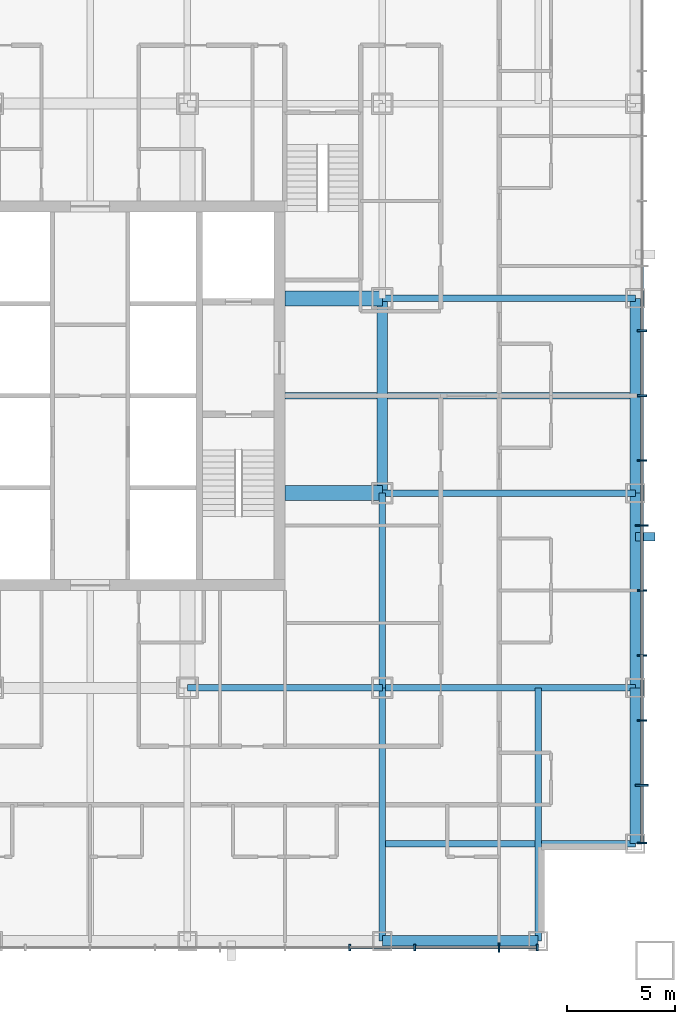
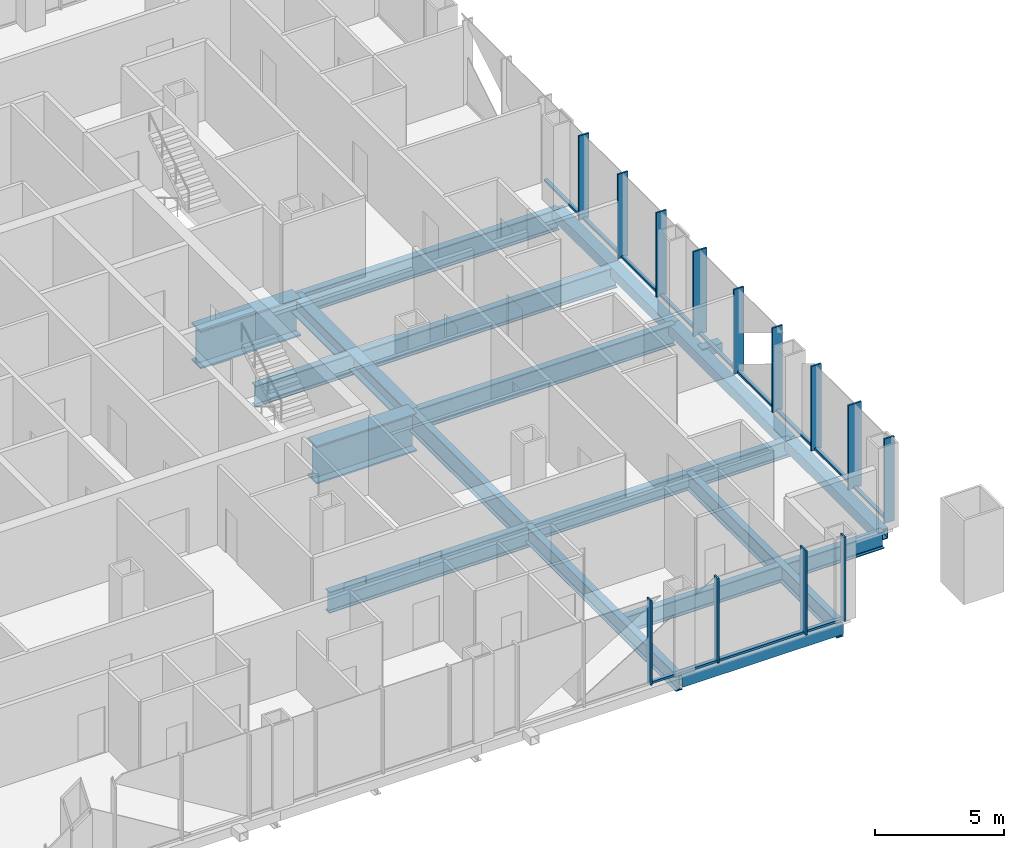
# One storey, part 3 of 17: 26 members, 16 beams, 2 elements without a shape of their own.
"""IFC4 building model written with IfcOpenShell, lengths in metres."""

from ifc_helpers import new_model, si_unit, direction, frame, origin, origin_2d, place, context, subcontext, project, spatial, rectangle, hollow_rectangle, i_section, extrude, material, layer, layer_set, material_profile, profile_set, type_object, element, aggregate, save


model = new_model("IFC4")

# Units and contexts
model_context = context("Model", 3, precision=1e-05, world=origin(), true_north=direction((0.0, 1.0)))
body_context = subcontext(model_context, "Body", "Model", "MODEL_VIEW")
ifc_project = project(units=[si_unit("LENGTHUNIT", "METRE"), si_unit("AREAUNIT", "SQUARE_METRE"), si_unit("VOLUMEUNIT", "CUBIC_METRE"), si_unit("PLANEANGLEUNIT", "RADIAN"), si_unit("MASSUNIT", "GRAM", prefix="KILO")], contexts=[model_context])

# Site, building, storey
site_placement = place(None, origin())
site = spatial("IfcSite", under=ifc_project, at=site_placement, CompositionType="ELEMENT")
building_placement = place(site_placement, origin())
building = spatial("IfcBuilding", under=site, at=building_placement, Name="Malebo Sky Hospital", CompositionType="ELEMENT")
storey_placement = place(building_placement, frame((0.0, 0.0, 83.0)))
storey = spatial("IfcBuildingStorey", under=building, at=storey_placement, Name="L19", CompositionType="ELEMENT", Elevation=83.0)

# Curtain wall, members
ifc_material_1 = material(Name="Anodised aluminium, natural silver", Category="aluminium")
ifc_layer_1 = layer(ifc_material_1, 0.25)
ifc_layer_set_1 = layer_set([ifc_layer_1], Name="WARD CURTAIN WALL NORTH AND SOUTH")
curtain_wall_type_1 = type_object("IfcCurtainWallType", Name="WARD CURTAIN WALL NORTH AND SOUTH", PredefinedType="NOTDEFINED", material=ifc_layer_set_1)
curtain_wall_1_placement = place(storey_placement, origin())
curtain_wall_1 = element("IfcCurtainWall", 1, at=curtain_wall_1_placement, inside=storey, type_object=curtain_wall_type_1, Name="NS curtain wall S", PredefinedType="NOTDEFINED")
ifc_material_profile_1 = material_profile(ifc_material_1, rectangle(XDim=0.14990234375, YDim=0.10009765625, at=origin_2d()), Name="ALUMINIUM TRANSOM 150x100")
ifc_profile_set_1 = profile_set([ifc_material_profile_1], Name="Anodised aluminium, natural silver")
member_type_1 = type_object("IfcMemberType", Name="ALUMINIUM TRANSOM 150x100", PredefinedType="USERDEFINED", material=ifc_profile_set_1)
member_1_placement = place(storey_placement, frame((80.625, 36.5, 0.050048828125), z_axis=(-1.0, 0.0, 0.0), x_axis=(0.0, -1.0, 0.0)))
member_1 = element("IfcMember", 2, at=member_1_placement, type_object=member_type_1, Name="Transom 1", ObjectType="TRANSOM", PredefinedType="USERDEFINED", context=body_context, shape_type="SweptSolid", body=[
    extrude(rectangle(XDim=0.14990234375, YDim=0.10009765625, at=origin_2d()), origin(), (0.0, 0.0, 1.0), 1.6875),
])
member_2_placement = place(storey_placement, frame((78.862548828125, 36.5, 0.050048828125), z_axis=(-1.0, 0.0, 0.0), x_axis=(0.0, -1.0, 0.0)))
member_2 = element("IfcMember", 3, at=member_2_placement, type_object=member_type_1, Name="Transom 2", ObjectType="TRANSOM", PredefinedType="USERDEFINED", context=body_context, shape_type="SweptSolid", body=[
    extrude(rectangle(XDim=0.14990234375, YDim=0.10009765625, at=origin_2d()), origin(), (0.0, 0.0, 1.0), 3.824951171875),
])
member_3_placement = place(storey_placement, frame((74.96240234375, 36.5, 0.050048828125), z_axis=(-1.0, 0.0, 0.0), x_axis=(0.0, -1.0, 0.0)))
member_3 = element("IfcMember", 4, at=member_3_placement, type_object=member_type_1, Name="Transom 3", ObjectType="TRANSOM", PredefinedType="USERDEFINED", context=body_context, shape_type="SweptSolid", body=[
    extrude(rectangle(XDim=0.14990234375, YDim=0.10009765625, at=origin_2d()), origin(), (0.0, 0.0, 1.0), 2.9248046875),
])

ifc_layer_2 = layer(ifc_material_1, 0.25)
ifc_layer_set_2 = layer_set([ifc_layer_2], Name="WARD CURTAIN WALL EAST AND WEST")
curtain_wall_type_2 = type_object("IfcCurtainWallType", Name="WARD CURTAIN WALL EAST AND WEST", PredefinedType="NOTDEFINED", material=ifc_layer_set_2)
curtain_wall_2_placement = place(storey_placement, origin())
curtain_wall_2 = element("IfcCurtainWall", 5, at=curtain_wall_2_placement, inside=storey, type_object=curtain_wall_type_2, Name="EW curtain wall E", PredefinedType="NOTDEFINED")
member_4_placement = place(storey_placement, frame((85.5, 67.96240234375, 0.050048828125), z_axis=(0.0, -1.0, 0.0), x_axis=(1.0, 0.0, 0.0)))
member_4 = element("IfcMember", 6, at=member_4_placement, type_object=member_type_1, Name="Transom 6", ObjectType="TRANSOM", PredefinedType="USERDEFINED", context=body_context, shape_type="SweptSolid", body=[
    extrude(rectangle(XDim=0.14990234375, YDim=0.10009765625, at=origin_2d()), origin(), (0.0, 0.0, 1.0), 2.9248046875),
])
member_5_placement = place(storey_placement, frame((85.5, 64.96240234375, 0.050048828125), z_axis=(0.0, -1.0, 0.0), x_axis=(1.0, 0.0, 0.0)))
member_5 = element("IfcMember", 7, at=member_5_placement, type_object=member_type_1, Name="Transom 7", ObjectType="TRANSOM", PredefinedType="USERDEFINED", context=body_context, shape_type="SweptSolid", body=[
    extrude(rectangle(XDim=0.14990234375, YDim=0.10009765625, at=origin_2d()), origin(), (0.0, 0.0, 1.0), 2.9248046875),
])
member_6_placement = place(storey_placement, frame((85.5, 61.96240234375, 0.050048828125), z_axis=(0.0, -1.0, 0.0), x_axis=(1.0, 0.0, 0.0)))
member_6 = element("IfcMember", 8, at=member_6_placement, type_object=member_type_1, Name="Transom 8", ObjectType="TRANSOM", PredefinedType="USERDEFINED", context=body_context, shape_type="SweptSolid", body=[
    extrude(rectangle(XDim=0.14990234375, YDim=0.10009765625, at=origin_2d()), origin(), (0.0, 0.0, 1.0), 2.9248046875),
])
member_7_placement = place(storey_placement, frame((85.5, 58.96240234375, 0.050048828125), z_axis=(0.0, -1.0, 0.0), x_axis=(1.0, 0.0, 0.0)))
member_7 = element("IfcMember", 9, at=member_7_placement, type_object=member_type_1, Name="Transom 9", ObjectType="TRANSOM", PredefinedType="USERDEFINED", context=body_context, shape_type="SweptSolid", body=[
    extrude(rectangle(XDim=0.14990234375, YDim=0.10009765625, at=origin_2d()), origin(), (0.0, 0.0, 1.0), 2.9248046875),
])
member_8_placement = place(storey_placement, frame((85.5, 55.96240234375, 0.050048828125), z_axis=(0.0, -1.0, 0.0), x_axis=(1.0, 0.0, 0.0)))
member_8 = element("IfcMember", 10, at=member_8_placement, type_object=member_type_1, Name="Transom 10", ObjectType="TRANSOM", PredefinedType="USERDEFINED", context=body_context, shape_type="SweptSolid", body=[
    extrude(rectangle(XDim=0.14990234375, YDim=0.10009765625, at=origin_2d()), origin(), (0.0, 0.0, 1.0), 2.9248046875),
])
member_9_placement = place(storey_placement, frame((85.5, 52.96240234375, 0.050048828125), z_axis=(0.0, -1.0, 0.0), x_axis=(1.0, 0.0, 0.0)))
member_9 = element("IfcMember", 11, at=member_9_placement, type_object=member_type_1, Name="Transom 11", ObjectType="TRANSOM", PredefinedType="USERDEFINED", context=body_context, shape_type="SweptSolid", body=[
    extrude(rectangle(XDim=0.14990234375, YDim=0.10009765625, at=origin_2d()), origin(), (0.0, 0.0, 1.0), 2.9248046875),
])
member_10_placement = place(storey_placement, frame((85.5, 49.96240234375, 0.050048828125), z_axis=(0.0, -1.0, 0.0), x_axis=(1.0, 0.0, 0.0)))
member_10 = element("IfcMember", 12, at=member_10_placement, type_object=member_type_1, Name="Transom 12", ObjectType="TRANSOM", PredefinedType="USERDEFINED", context=body_context, shape_type="SweptSolid", body=[
    extrude(rectangle(XDim=0.14990234375, YDim=0.10009765625, at=origin_2d()), origin(), (0.0, 0.0, 1.0), 2.9248046875),
])
member_11_placement = place(storey_placement, frame((85.5, 46.96240234375, 0.050048828125), z_axis=(0.0, -1.0, 0.0), x_axis=(1.0, 0.0, 0.0)))
member_11 = element("IfcMember", 13, at=member_11_placement, type_object=member_type_1, Name="Transom 13", ObjectType="TRANSOM", PredefinedType="USERDEFINED", context=body_context, shape_type="SweptSolid", body=[
    extrude(rectangle(XDim=0.14990234375, YDim=0.10009765625, at=origin_2d()), origin(), (0.0, 0.0, 1.0), 2.9248046875),
])
member_12_placement = place(storey_placement, frame((85.5, 43.96240234375, 0.050048828125), z_axis=(0.0, -1.0, 0.0), x_axis=(1.0, 0.0, 0.0)))
member_12 = element("IfcMember", 14, at=member_12_placement, type_object=member_type_1, Name="Transom 14", ObjectType="TRANSOM", PredefinedType="USERDEFINED", context=body_context, shape_type="SweptSolid", body=[
    extrude(rectangle(XDim=0.14990234375, YDim=0.10009765625, at=origin_2d()), origin(), (0.0, 0.0, 1.0), 2.58740234375),
])

# Member
ifc_material_2 = material(Name="Steel S355", Category="steel")
ifc_material_profile_2 = material_profile(ifc_material_2, hollow_rectangle(XDim=0.39990234375, YDim=0.39990234375, WallThickness=0.02001953125, at=origin_2d()), Name="SHS 400x20")
ifc_profile_set_2 = profile_set([ifc_material_profile_2], Name="Steel S355")
member_type_2 = type_object("IfcMemberType", Name="BRACE STRUT SHS 400x20", PredefinedType="STRUT", material=ifc_profile_set_2)
member_13_placement = place(storey_placement, frame((86.10009765625, 55.47509765625, -0.39990234375), z_axis=(-1.0, 0.0, 0.0), x_axis=(0.0, -1.0, 0.0)))
element("IfcMember", 15, at=member_13_placement, inside=storey, type_object=member_type_2, Name="Brace strut AE2 L19", PredefinedType="STRUT", context=body_context, shape_type="SweptSolid", body=[
    extrude(hollow_rectangle(XDim=0.39990234375, YDim=0.39990234375, WallThickness=0.02001953125, at=origin_2d()), origin(), (0.0, 0.0, 1.0), 0.900146484375),
])

ifc_material_profile_3 = material_profile(ifc_material_1, rectangle(XDim=0.074951171875, YDim=0.300048828125, at=origin_2d()), Name="CW1 ALUMINIUM FIN MULLION 75x300")
ifc_profile_set_3 = profile_set([ifc_material_profile_3], Name="Anodised aluminium, natural silver")
member_type_3 = type_object("IfcMemberType", Name="CW1 ALUMINIUM FIN MULLION 75x300", PredefinedType="MULLION", material=ifc_profile_set_3)
member_14_placement = place(storey_placement, frame((80.66259765625, 36.5, 0.0), z_axis=(0.0, 0.0, 1.0), x_axis=(-1.0, 0.0, 0.0)))
member_14 = element("IfcMember", 16, at=member_14_placement, type_object=member_type_3, Name="Fin mullion 1", PredefinedType="MULLION", context=body_context, shape_type="SweptSolid", body=[
    extrude(rectangle(XDim=0.074951171875, YDim=0.300048828125, at=origin_2d()), origin(), (0.0, 0.0, 1.0), 4.0),
])

member_15_placement = place(storey_placement, frame((75.0, 36.5, 0.0), z_axis=(0.0, 0.0, 1.0), x_axis=(-1.0, 0.0, 0.0)))
member_15 = element("IfcMember", 17, at=member_15_placement, type_object=member_type_3, Name="Fin mullion 3", PredefinedType="MULLION", context=body_context, shape_type="SweptSolid", body=[
    extrude(rectangle(XDim=0.074951171875, YDim=0.300048828125, at=origin_2d()), origin(), (0.0, 0.0, 1.0), 4.0),
])

member_16_placement = place(storey_placement, frame((72.0, 36.5, 0.0), z_axis=(0.0, 0.0, 1.0), x_axis=(-1.0, 0.0, 0.0)))
member_16 = element("IfcMember", 18, at=member_16_placement, type_object=member_type_3, Name="Fin mullion 4", PredefinedType="MULLION", context=body_context, shape_type="SweptSolid", body=[
    extrude(rectangle(XDim=0.074951171875, YDim=0.300048828125, at=origin_2d()), origin(), (0.0, 0.0, 1.0), 4.0),
])

ifc_material_profile_4 = material_profile(ifc_material_1, rectangle(XDim=0.074951171875, YDim=0.449951171875, at=origin_2d()), Name="CW1 ALUMINIUM FIN MULLION 75x450")
ifc_profile_set_4 = profile_set([ifc_material_profile_4], Name="Anodised aluminium, natural silver")
member_type_4 = type_object("IfcMemberType", Name="CW1 ALUMINIUM FIN MULLION 75x450", PredefinedType="MULLION", material=ifc_profile_set_4)
member_17_placement = place(storey_placement, frame((78.89990234375, 36.5, 0.0), z_axis=(0.0, 0.0, 1.0), x_axis=(-1.0, 0.0, 0.0)))
member_17 = element("IfcMember", 19, at=member_17_placement, type_object=member_type_4, Name="Fin mullion 2", PredefinedType="MULLION", context=body_context, shape_type="SweptSolid", body=[
    extrude(rectangle(XDim=0.074951171875, YDim=0.449951171875, at=origin_2d()), origin(), (0.0, 0.0, 1.0), 4.0),
])

aggregate(curtain_wall_1, [member_14, member_17, member_15, member_16, member_1, member_2, member_3])

ifc_material_profile_5 = material_profile(ifc_material_1, rectangle(XDim=0.074951171875, YDim=0.449951171875, at=origin_2d()), Name="CW2 ALUMINIUM FIN MULLION 75x450")
ifc_profile_set_5 = profile_set([ifc_material_profile_5], Name="Anodised aluminium, natural silver")
member_type_5 = type_object("IfcMemberType", Name="CW2 ALUMINIUM FIN MULLION 75x450", PredefinedType="MULLION", material=ifc_profile_set_5)
member_18_placement = place(storey_placement, frame((85.5, 65.0, 0.0), z_axis=(0.0, 0.0, 1.0), x_axis=(0.0, -1.0, 0.0)))
member_18 = element("IfcMember", 20, at=member_18_placement, type_object=member_type_5, Name="Fin mullion 7", PredefinedType="MULLION", context=body_context, shape_type="SweptSolid", body=[
    extrude(rectangle(XDim=0.074951171875, YDim=0.449951171875, at=origin_2d()), origin(), (0.0, 0.0, 1.0), 4.0),
])

member_19_placement = place(storey_placement, frame((85.5, 62.0, 0.0), z_axis=(0.0, 0.0, 1.0), x_axis=(0.0, -1.0, 0.0)))
member_19 = element("IfcMember", 21, at=member_19_placement, type_object=member_type_5, Name="Fin mullion 8", PredefinedType="MULLION", context=body_context, shape_type="SweptSolid", body=[
    extrude(rectangle(XDim=0.074951171875, YDim=0.449951171875, at=origin_2d()), origin(), (0.0, 0.0, 1.0), 4.0),
])

member_20_placement = place(storey_placement, frame((85.5, 59.0, 0.0), z_axis=(0.0, 0.0, 1.0), x_axis=(0.0, -1.0, 0.0)))
member_20 = element("IfcMember", 22, at=member_20_placement, type_object=member_type_5, Name="Fin mullion 9", PredefinedType="MULLION", context=body_context, shape_type="SweptSolid", body=[
    extrude(rectangle(XDim=0.074951171875, YDim=0.449951171875, at=origin_2d()), origin(), (0.0, 0.0, 1.0), 4.0),
])

member_21_placement = place(storey_placement, frame((85.5, 53.0, 0.0), z_axis=(0.0, 0.0, 1.0), x_axis=(0.0, -1.0, 0.0)))
member_21 = element("IfcMember", 23, at=member_21_placement, type_object=member_type_5, Name="Fin mullion 11", PredefinedType="MULLION", context=body_context, shape_type="SweptSolid", body=[
    extrude(rectangle(XDim=0.074951171875, YDim=0.449951171875, at=origin_2d()), origin(), (0.0, 0.0, 1.0), 4.0),
])

member_22_placement = place(storey_placement, frame((85.5, 50.0, 0.0), z_axis=(0.0, 0.0, 1.0), x_axis=(0.0, -1.0, 0.0)))
member_22 = element("IfcMember", 24, at=member_22_placement, type_object=member_type_5, Name="Fin mullion 12", PredefinedType="MULLION", context=body_context, shape_type="SweptSolid", body=[
    extrude(rectangle(XDim=0.074951171875, YDim=0.449951171875, at=origin_2d()), origin(), (0.0, 0.0, 1.0), 4.0),
])

member_23_placement = place(storey_placement, frame((85.5, 47.0, 0.0), z_axis=(0.0, 0.0, 1.0), x_axis=(0.0, -1.0, 0.0)))
member_23 = element("IfcMember", 25, at=member_23_placement, type_object=member_type_5, Name="Fin mullion 13", PredefinedType="MULLION", context=body_context, shape_type="SweptSolid", body=[
    extrude(rectangle(XDim=0.074951171875, YDim=0.449951171875, at=origin_2d()), origin(), (0.0, 0.0, 1.0), 4.0),
])

member_24_placement = place(storey_placement, frame((85.5, 41.33740234375, 0.0), z_axis=(0.0, 0.0, 1.0), x_axis=(0.0, -1.0, 0.0)))
member_24 = element("IfcMember", 26, at=member_24_placement, type_object=member_type_5, Name="Fin mullion 15", PredefinedType="MULLION", context=body_context, shape_type="SweptSolid", body=[
    extrude(rectangle(XDim=0.074951171875, YDim=0.449951171875, at=origin_2d()), origin(), (0.0, 0.0, 1.0), 4.0),
])

ifc_material_profile_6 = material_profile(ifc_material_1, rectangle(XDim=0.074951171875, YDim=0.60009765625, at=origin_2d()), Name="CW2 ALUMINIUM FIN MULLION 75x600")
ifc_profile_set_6 = profile_set([ifc_material_profile_6], Name="Anodised aluminium, natural silver")
member_type_6 = type_object("IfcMemberType", Name="CW2 ALUMINIUM FIN MULLION 75x600", PredefinedType="MULLION", material=ifc_profile_set_6)
member_25_placement = place(storey_placement, frame((85.5, 56.0, 0.0), z_axis=(0.0, 0.0, 1.0), x_axis=(0.0, -1.0, 0.0)))
member_25 = element("IfcMember", 27, at=member_25_placement, type_object=member_type_6, Name="Fin mullion 10", PredefinedType="MULLION", context=body_context, shape_type="SweptSolid", body=[
    extrude(rectangle(XDim=0.074951171875, YDim=0.60009765625, at=origin_2d()), origin(), (0.0, 0.0, 1.0), 4.0),
])

member_26_placement = place(storey_placement, frame((85.5, 44.0, 0.0), z_axis=(0.0, 0.0, 1.0), x_axis=(0.0, -1.0, 0.0)))
member_26 = element("IfcMember", 28, at=member_26_placement, type_object=member_type_6, Name="Fin mullion 14", PredefinedType="MULLION", context=body_context, shape_type="SweptSolid", body=[
    extrude(rectangle(XDim=0.074951171875, YDim=0.60009765625, at=origin_2d()), origin(), (0.0, 0.0, 1.0), 4.0),
])

aggregate(curtain_wall_2, [member_18, member_19, member_20, member_25, member_21, member_22, member_23, member_26, member_24, member_4, member_5, member_6, member_7, member_8, member_9, member_10, member_11, member_12])

# Beams
ifc_material_3 = material(Name="Steel S460", Category="steel")
ifc_material_profile_7 = material_profile(ifc_material_3, hollow_rectangle(XDim=0.5, YDim=0.5, WallThickness=0.030029296875, at=origin_2d()), Name="BOX 500x500x30")
ifc_profile_set_7 = profile_set([ifc_material_profile_7], Name="Steel S460")
beam_type_1 = type_object("IfcBeamType", Name="EDGE BEAM BOX 500x500x30", PredefinedType="BEAM", material=ifc_profile_set_7)
beam_1_placement = place(storey_placement, frame((85.199951171875, 41.300048828125, -0.5), z_axis=(0.0, 1.0, 0.0), x_axis=(-1.0, 0.0, 0.0)))
element("IfcBeam", 29, at=beam_1_placement, inside=storey, type_object=beam_type_1, Name="Beam 029 L19", PredefinedType="BEAM", context=body_context, shape_type="SweptSolid", body=[
    extrude(hollow_rectangle(XDim=0.5, YDim=0.5, WallThickness=0.030029296875, at=origin_2d()), origin(), (0.0, 0.0, 1.0), 7.199951171875),
])
for number, where, z_axis, x_axis, name in (
    (30, (85.199951171875, 48.5, -0.5), (0.0, 1.0, 0.0), (-1.0, 0.0, 0.0), "Beam 030 L19"),
    (31, (85.199951171875, 57.5, -0.5), (0.0, 1.0, 0.0), (-1.0, 0.0, 0.0), "Beam 031 L19"),
):
    element("IfcBeam", number, at=place(storey_placement, frame(where, z_axis=z_axis, x_axis=x_axis)), inside=storey, type_object=beam_type_1, Name=name, PredefinedType="BEAM", context=body_context, shape_type="SweptSolid", body=[
        extrude(hollow_rectangle(XDim=0.5, YDim=0.5, WallThickness=0.030029296875, at=origin_2d()), origin(), (0.0, 0.0, 1.0), 9.0),
    ])
beam_2_placement = place(storey_placement, frame((73.5, 36.800048828125, -0.5), z_axis=(1.0, 0.0, 0.0), x_axis=(0.0, 1.0, 0.0)))
element("IfcBeam", 32, at=beam_2_placement, inside=storey, type_object=beam_type_1, Name="Beam 038 L19", PredefinedType="BEAM", context=body_context, shape_type="SweptSolid", body=[
    extrude(hollow_rectangle(XDim=0.5, YDim=0.5, WallThickness=0.030029296875, at=origin_2d()), origin(), (0.0, 0.0, 1.0), 7.199951171875),
])
ifc_material_profile_8 = material_profile(ifc_material_2, i_section(OverallWidth=0.300048828125, OverallDepth=1.0, WebThickness=0.01904296875, FlangeThickness=0.035888671875, FilletRadius=0.030029296875, at=origin_2d()), Name="HEB 1000")
ifc_profile_set_8 = profile_set([ifc_material_profile_8], Name="Steel S355")
beam_type_2 = type_object("IfcBeamType", Name="FLOOR BEAM HEB 1000", PredefinedType="BEAM", material=ifc_profile_set_8)
for number, where, z_axis, x_axis, name in (
    (33, (73.5, 48.5, -0.75), (0.0, 1.0, 0.0), (-1.0, 0.0, 0.0), "Beam 023 L19"),
    (34, (64.5, 48.5, -0.75), (1.0, 0.0, 0.0), (0.0, 1.0, 0.0), "Beam 044 L19"),
):
    element("IfcBeam", number, at=place(storey_placement, frame(where, z_axis=z_axis, x_axis=x_axis)), inside=storey, type_object=beam_type_2, Name=name, PredefinedType="BEAM", context=body_context, shape_type="SweptSolid", body=[
        extrude(i_section(OverallWidth=0.300048828125, OverallDepth=1.0, WebThickness=0.01904296875, FlangeThickness=0.035888671875, FilletRadius=0.030029296875, at=origin_2d()), origin(), (0.0, 0.0, 1.0), 9.0),
    ])
beam_3_placement = place(storey_placement, frame((73.5, 57.5, -0.75), z_axis=(1.0, 0.0, 0.0), x_axis=(0.0, 1.0, 0.0)))
element("IfcBeam", 35, at=beam_3_placement, inside=storey, type_object=beam_type_2, Name="Beam 049 L19", PredefinedType="BEAM", context=body_context, shape_type="SweptSolid", body=[
    extrude(i_section(OverallWidth=0.300048828125, OverallDepth=1.0, WebThickness=0.01904296875, FlangeThickness=0.035888671875, FilletRadius=0.030029296875, at=origin_2d()), origin(), (0.0, 0.0, 1.0), 11.699951171875),
])
beam_4_placement = place(storey_placement, frame((69.0, 62.0, -0.75), z_axis=(1.0, 0.0, 0.0), x_axis=(0.0, 1.0, 0.0)))
element("IfcBeam", 36, at=beam_4_placement, inside=storey, type_object=beam_type_2, Name="Beam 051 L19", PredefinedType="BEAM", context=body_context, shape_type="SweptSolid", body=[
    extrude(i_section(OverallWidth=0.300048828125, OverallDepth=1.0, WebThickness=0.01904296875, FlangeThickness=0.035888671875, FilletRadius=0.030029296875, at=origin_2d()), origin(), (0.0, 0.0, 1.0), 16.199951171875),
])
beam_5_placement = place(storey_placement, frame((73.5, 66.5, -0.75), z_axis=(1.0, 0.0, 0.0), x_axis=(0.0, 1.0, 0.0)))
element("IfcBeam", 37, at=beam_5_placement, inside=storey, type_object=beam_type_2, Name="Beam 055 L19", PredefinedType="BEAM", context=body_context, shape_type="SweptSolid", body=[
    extrude(i_section(OverallWidth=0.300048828125, OverallDepth=1.0, WebThickness=0.01904296875, FlangeThickness=0.035888671875, FilletRadius=0.030029296875, at=origin_2d()), origin(), (0.0, 0.0, 1.0), 11.699951171875),
])
ifc_material_profile_9 = material_profile(ifc_material_2, i_section(OverallWidth=0.300048828125, OverallDepth=0.800048828125, WebThickness=0.017578125, FlangeThickness=0.032958984375, FilletRadius=0.030029296875, at=origin_2d()), Name="HEB 800")
ifc_profile_set_9 = profile_set([ifc_material_profile_9], Name="Steel S355")
beam_type_3 = type_object("IfcBeamType", Name="FLOOR BEAM HEB 800", PredefinedType="BEAM", material=ifc_profile_set_9)
for number, where, z_axis, x_axis, name in (
    (38, (80.699951171875, 36.800048828125, -0.64990234375), (0.0, 1.0, 0.0), (-1.0, 0.0, 0.0), "Beam 027 L19"),
    (39, (73.5, 41.300048828125, -0.64990234375), (1.0, 0.0, 0.0), (0.0, 1.0, 0.0), "Beam 040 L19"),
):
    element("IfcBeam", number, at=place(storey_placement, frame(where, z_axis=z_axis, x_axis=x_axis)), inside=storey, type_object=beam_type_3, Name=name, PredefinedType="BEAM", context=body_context, shape_type="SweptSolid", body=[
        extrude(i_section(OverallWidth=0.300048828125, OverallDepth=0.800048828125, WebThickness=0.017578125, FlangeThickness=0.032958984375, FilletRadius=0.030029296875, at=origin_2d()), origin(), (0.0, 0.0, 1.0), 11.699951171875),
    ])
ifc_material_profile_10 = material_profile(ifc_material_2, i_section(OverallWidth=0.699951171875, OverallDepth=1.800048828125, WebThickness=0.034912109375, FlangeThickness=0.070068359375, at=origin_2d()), Name="PG 1800x700x35x70")
ifc_profile_set_10 = profile_set([ifc_material_profile_10], Name="Steel S355")
beam_type_4 = type_object("IfcBeamType", Name="FLOOR BEAM PG 1800x700x35x70", PredefinedType="BEAM", material=ifc_profile_set_10)
for number, where, z_axis, x_axis, name in (
    (40, (69.0, 57.5, -1.14990234375), (1.0, 0.0, 0.0), (0.0, 1.0, 0.0), "Beam 048 L19"),
    (41, (69.0, 66.5, -1.14990234375), (1.0, 0.0, 0.0), (0.0, 1.0, 0.0), "Beam 054 L19"),
):
    element("IfcBeam", number, at=place(storey_placement, frame(where, z_axis=z_axis, x_axis=x_axis)), inside=storey, type_object=beam_type_4, Name=name, PredefinedType="BEAM", context=body_context, shape_type="SweptSolid", body=[
        extrude(i_section(OverallWidth=0.699951171875, OverallDepth=1.800048828125, WebThickness=0.034912109375, FlangeThickness=0.070068359375, at=origin_2d()), origin(), (0.0, 0.0, 1.0), 4.5),
    ])
ifc_material_profile_11 = material_profile(ifc_material_2, i_section(OverallWidth=0.300048828125, OverallDepth=0.800048828125, WebThickness=0.017578125, FlangeThickness=0.032958984375, FilletRadius=0.030029296875, at=origin_2d()), Name="HEB 800")
ifc_profile_set_11 = profile_set([ifc_material_profile_11], Name="Steel S355")
beam_type_5 = type_object("IfcBeamType", Name="FLOOR GIRDER HEB 800", PredefinedType="BEAM", material=ifc_profile_set_11)
for number, where, z_axis, x_axis, name in (
    (42, (73.5, 36.800048828125, -0.64990234375), (0.0, 1.0, 0.0), (-1.0, 0.0, 0.0), "Beam 022 L19"),
    (43, (73.5, 48.5, -0.64990234375), (1.0, 0.0, 0.0), (0.0, 1.0, 0.0), "Beam 045 L19"),
):
    element("IfcBeam", number, at=place(storey_placement, frame(where, z_axis=z_axis, x_axis=x_axis)), inside=storey, type_object=beam_type_5, Name=name, PredefinedType="BEAM", context=body_context, shape_type="SweptSolid", body=[
        extrude(i_section(OverallWidth=0.300048828125, OverallDepth=0.800048828125, WebThickness=0.017578125, FlangeThickness=0.032958984375, FilletRadius=0.030029296875, at=origin_2d()), origin(), (0.0, 0.0, 1.0), 11.699951171875),
    ])
ifc_material_profile_12 = material_profile(ifc_material_2, i_section(OverallWidth=0.5, OverallDepth=0.800048828125, WebThickness=0.030029296875, FlangeThickness=0.050048828125, at=origin_2d()), Name="PG 800x500x30x50")
ifc_profile_set_12 = profile_set([ifc_material_profile_12], Name="Steel S355")
beam_type_6 = type_object("IfcBeamType", Name="RING GIRDER PG 800x500x30x50", PredefinedType="BEAM", material=ifc_profile_set_12)
beam_6_placement = place(storey_placement, frame((73.5, 57.5, -0.64990234375), z_axis=(0.0, 1.0, 0.0), x_axis=(-1.0, 0.0, 0.0)))
element("IfcBeam", 44, at=beam_6_placement, inside=storey, type_object=beam_type_6, Name="Beam 024 L19", PredefinedType="BEAM", context=body_context, shape_type="SweptSolid", body=[
    extrude(i_section(OverallWidth=0.5, OverallDepth=0.800048828125, WebThickness=0.030029296875, FlangeThickness=0.050048828125, at=origin_2d()), origin(), (0.0, 0.0, 1.0), 9.0),
])

save(model, "model.ifc")
